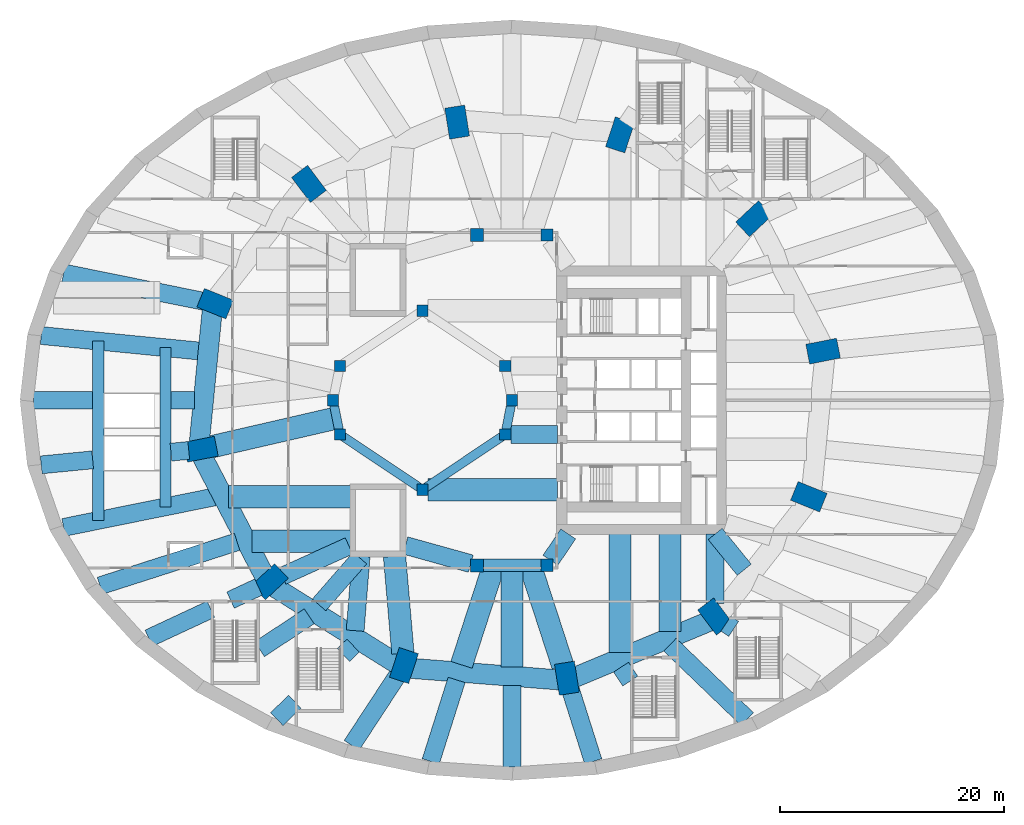
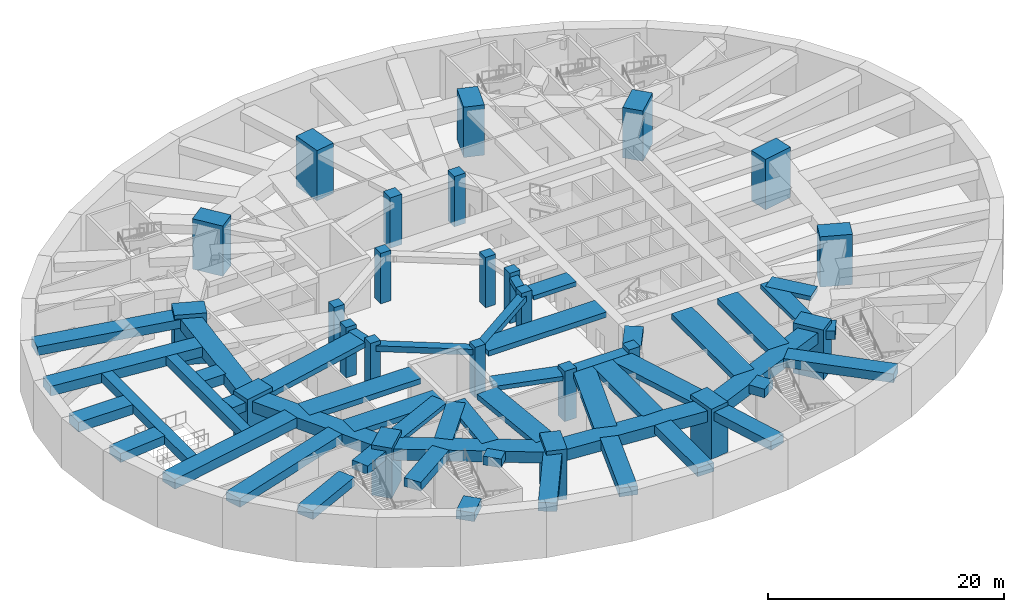
# One storey, part 1 of 14: 50 beams, 24 columns.
"""IFC4 building model written with IfcOpenShell, lengths in metres."""

from ifc_helpers import new_model, si_unit, direction, frame, origin, origin_with_axes, origin_2d, place, context, subcontext, project, spatial, rectangle, extrude, material, material_profile, profile_set, type_object, element, save


model = new_model("IFC4")

# Units and contexts
model_context = context("Model", 3, precision=1e-05, world=origin(), true_north=direction((0.0, 1.0)))
body_context = subcontext(model_context, "Body", "Model", "MODEL_VIEW")
ifc_project = project(units=[si_unit("LENGTHUNIT", "METRE"), si_unit("AREAUNIT", "SQUARE_METRE"), si_unit("VOLUMEUNIT", "CUBIC_METRE"), si_unit("PLANEANGLEUNIT", "RADIAN"), si_unit("MASSUNIT", "GRAM", prefix="KILO")], contexts=[model_context])

# Site, building, storey
site_placement = place(None, origin())
site = spatial("IfcSite", under=ifc_project, at=site_placement, CompositionType="ELEMENT")
building_placement = place(site_placement, origin())
building = spatial("IfcBuilding", under=site, at=building_placement, Name="Taillehof Tower", CompositionType="ELEMENT")
storey_placement = place(building_placement, frame((0.0, 0.0, -5.199951171875)))
storey = spatial("IfcBuildingStorey", under=building, at=storey_placement, Name="B1", CompositionType="ELEMENT", Elevation=-5.199951171875)

# Columns
ifc_material_1 = material(Name="Concrete C50/60", Category="concrete")
ifc_material_profile_1 = material_profile(ifc_material_1, rectangle(XDim=1.0, YDim=1.0, at=origin_2d()), Name="RC 1000x1000")
ifc_profile_set_1 = profile_set([ifc_material_profile_1], Name="Concrete C50/60")
column_type_1 = type_object("IfcColumnType", Name="Atrium ring column C50/60 1000x1000", PredefinedType="COLUMN", material=ifc_profile_set_1)
column_placement = place(storey_placement, origin_with_axes())
element("IfcColumn", 1, at=column_placement, inside=storey, type_object=column_type_1, Name="Column AC01", PredefinedType="COLUMN", context=body_context, shape_type="SweptSolid", body=[
    extrude(rectangle(XDim=1.0, YDim=1.0, at=origin_2d()), origin(), (0.0, 0.0, 1.0), 5.199951171875),
])
ifc_material_2 = material(Name="Concrete C60/75", Category="concrete")
ifc_material_profile_2 = material_profile(ifc_material_2, rectangle(XDim=1.0, YDim=1.0, at=origin_2d()), Name="RC 1000x1000")
ifc_profile_set_2 = profile_set([ifc_material_profile_2], Name="Concrete C60/75")
column_type_2 = type_object("IfcColumnType", Name="Atrium ring column C60/75 1000x1000", PredefinedType="COLUMN", material=ifc_profile_set_2)
for number, where, z_axis, x_axis, name in (
    (2, (-8.0, 8.0, 0.0), (0.0, 0.0, 1.0), (1.0, 0.0, 0.0), "Column AC05"),
    (3, (-15.39111328125, 3.0615234375, 0.0), (0.0, 0.0, 1.0), (1.0, 0.0, 0.0), "Column AC08"),
    (4, (-16.0, 0.0, 0.0), (0.0, 0.0, 1.0), (1.0, 0.0, 0.0), "Column AC09"),
    (5, (-15.39111328125, -3.0615234375, 0.0), (0.0, 0.0, 1.0), (1.0, 0.0, 0.0), "Column AC10"),
    (6, (-8.0, -8.0, 0.0), (0.0, 0.0, 1.0), (1.0, 0.0, 0.0), "Column AC13"),
):
    element("IfcColumn", number, at=place(storey_placement, frame(where, z_axis=z_axis, x_axis=x_axis)), inside=storey, type_object=column_type_2, Name=name, PredefinedType="COLUMN", context=body_context, shape_type="SweptSolid", body=[
        extrude(rectangle(XDim=1.0, YDim=1.0, at=origin_2d()), origin(), (0.0, 0.0, 1.0), 5.199951171875),
    ])
ifc_material_3 = material(Name="Concrete C70/85", Category="concrete")
ifc_material_profile_3 = material_profile(ifc_material_3, rectangle(XDim=1.0, YDim=1.0, at=origin_2d()), Name="RC 1000x1000")
ifc_profile_set_3 = profile_set([ifc_material_profile_3], Name="Concrete C70/85")
column_type_3 = type_object("IfcColumnType", Name="Atrium ring column C70/85 1000x1000", PredefinedType="COLUMN", material=ifc_profile_set_3)
for number, where, z_axis, x_axis, name in (
    (7, (-0.60888671875, 3.0615234375, 0.0), (0.0, 0.0, 1.0), (1.0, 0.0, 0.0), "Column AC02"),
    (8, (-0.60888671875, -3.0615234375, 0.0), (0.0, 0.0, 1.0), (1.0, 0.0, 0.0), "Column AC16"),
):
    element("IfcColumn", number, at=place(storey_placement, frame(where, z_axis=z_axis, x_axis=x_axis)), inside=storey, type_object=column_type_3, Name=name, PredefinedType="COLUMN", context=body_context, shape_type="SweptSolid", body=[
        extrude(rectangle(XDim=1.0, YDim=1.0, at=origin_2d()), origin(), (0.0, 0.0, 1.0), 5.199951171875),
    ])
ifc_material_4 = material(Name="Concrete C80/95", Category="concrete")
ifc_material_profile_4 = material_profile(ifc_material_4, rectangle(XDim=2.800048828125, YDim=1.800048828125, at=origin_2d()), Name="RC 2800x1800")
ifc_profile_set_4 = profile_set([ifc_material_profile_4], Name="Concrete C80/95")
column_type_4 = type_object("IfcColumnType", Name="Mega column C80/95 2800x1800", PredefinedType="COLUMN", material=ifc_profile_set_4)
for number, where, z_axis, x_axis, name in (
    (9, (27.82080078125, 4.384521484375, 0.0), (0.0, 0.0, 1.0), (0.98120354895, 0.192975634545, 0.0), "Mega column MG01"),
    (10, (21.640869140625, 16.23046875, 0.0), (0.0, 0.0, 1.0), (0.730113022917, 0.683326403535, 0.0), "Mega column MG02"),
    (11, (9.662109375, 23.727294921875, 0.0), (0.0, 0.0, 1.0), (0.310219183529, 0.950665060981, 0.0), "Mega column MG03"),
    (12, (-4.905517578125, 24.866455078125, 0.0), (0.0, 0.0, 1.0), (-0.15614709407, 0.987733812833, 0.0), "Mega column MG04"),
    (13, (-18.15869140625, 19.342529296875, 0.0), (0.0, 0.0, 1.0), (-0.601173783055, 0.79911831575, 0.0), "Mega column MG05"),
    (14, (-26.54638671875, 8.635986328125, 0.0), (0.0, 0.0, 1.0), (-0.926558045297, 0.37615181602, 0.0), "Mega column MG06"),
    (15, (-27.82080078125, -4.384521484375, 0.0), (0.0, 0.0, 1.0), (-0.98120354895, -0.192975634545, 0.0), "Mega column MG07"),
    (16, (-21.640869140625, -16.23046875, 0.0), (0.0, 0.0, 1.0), (-0.730113022917, -0.683326403535, 0.0), "Mega column MG08"),
    (17, (-9.662109375, -23.727294921875, 0.0), (0.0, 0.0, 1.0), (-0.310219183529, -0.950665060981, 0.0), "Mega column MG09"),
    (18, (4.905517578125, -24.866455078125, 0.0), (0.0, 0.0, 1.0), (0.15614709407, -0.987733812833, 0.0), "Mega column MG10"),
    (19, (18.15869140625, -19.342529296875, 0.0), (0.0, 0.0, 1.0), (0.601173783055, -0.79911831575, 0.0), "Mega column MG11"),
    (20, (26.54638671875, -8.635986328125, 0.0), (0.0, 0.0, 1.0), (0.926558045297, -0.37615181602, 0.0), "Mega column MG12"),
):
    element("IfcColumn", number, at=place(storey_placement, frame(where, z_axis=z_axis, x_axis=x_axis)), inside=storey, type_object=column_type_4, Name=name, PredefinedType="COLUMN", context=body_context, shape_type="SweptSolid", body=[
        extrude(rectangle(XDim=2.800048828125, YDim=1.800048828125, at=origin_2d()), origin(), (0.0, 0.0, 1.0), 5.199951171875),
    ])
ifc_material_5 = material(Name="Concrete C70/85", Category="concrete")
ifc_material_profile_5 = material_profile(ifc_material_5, rectangle(XDim=1.10009765625, YDim=1.10009765625, at=origin_2d()), Name="RC 1100x1100")
ifc_profile_set_5 = profile_set([ifc_material_profile_5], Name="Concrete C70/85")
column_type_5 = type_object("IfcColumnType", Name="Mid-ring column C70/85 1100x1100", PredefinedType="COLUMN", material=ifc_profile_set_5)
for number, where, z_axis, x_axis, name in (
    (21, (3.125732421875, 14.772216796875, 0.0), (0.0, 0.0, 1.0), (1.0, 0.0, 0.0), "Column MC05"),
    (22, (3.125732421875, -14.772216796875, 0.0), (0.0, 0.0, 1.0), (1.0, 0.0, 0.0), "Column MC15"),
):
    element("IfcColumn", number, at=place(storey_placement, frame(where, z_axis=z_axis, x_axis=x_axis)), inside=storey, type_object=column_type_5, Name=name, PredefinedType="COLUMN", context=body_context, shape_type="SweptSolid", body=[
        extrude(rectangle(XDim=1.10009765625, YDim=1.10009765625, at=origin_2d()), origin(), (0.0, 0.0, 1.0), 5.199951171875),
    ])
ifc_material_6 = material(Name="Concrete C80/95", Category="concrete")
ifc_material_profile_6 = material_profile(ifc_material_6, rectangle(XDim=1.14990234375, YDim=1.14990234375, at=origin_2d()), Name="RC 1150x1150")
ifc_profile_set_6 = profile_set([ifc_material_profile_6], Name="Concrete C80/95")
column_type_6 = type_object("IfcColumnType", Name="Mid-ring column C80/95 1150x1150", PredefinedType="COLUMN", material=ifc_profile_set_6)
for number, where, z_axis, x_axis, name in (
    (23, (-3.125732421875, 14.772216796875, 0.0), (0.0, 0.0, 1.0), (1.0, 0.0, 0.0), "Column MC06"),
    (24, (-3.125732421875, -14.772216796875, 0.0), (0.0, 0.0, 1.0), (1.0, 0.0, 0.0), "Column MC14"),
):
    element("IfcColumn", number, at=place(storey_placement, frame(where, z_axis=z_axis, x_axis=x_axis)), inside=storey, type_object=column_type_6, Name=name, PredefinedType="COLUMN", context=body_context, shape_type="SweptSolid", body=[
        extrude(rectangle(XDim=1.14990234375, YDim=1.14990234375, at=origin_2d()), origin(), (0.0, 0.0, 1.0), 5.199951171875),
    ])

# Beams
ifc_material_7 = material(Name="Concrete C50/60", Category="concrete")
ifc_material_profile_7 = material_profile(ifc_material_7, rectangle(XDim=0.800048828125, YDim=0.5, at=origin_2d()), Name="RC 800x500")
ifc_profile_set_7 = profile_set([ifc_material_profile_7], Name="Concrete C50/60")
beam_type_1 = type_object("IfcBeamType", Name="Atrium ring beam C50/60 800x500", PredefinedType="BEAM", material=ifc_profile_set_7)
for number, where, z_axis, x_axis, name in (
    (25, (-16.0, 0.0, 4.5400390625), (0.195063155143, -0.980790683839, 0.0), (0.980790683839, 0.195063155143, 0.0), "Atrium ring beam AB05"),
    (26, (-0.60888671875, -3.0615234375, 4.5400390625), (0.195063155143, 0.980790683839, 0.0), (-0.980790683839, 0.195063155143, 0.0), "Atrium ring beam AB08"),
):
    element("IfcBeam", number, at=place(storey_placement, frame(where, z_axis=z_axis, x_axis=x_axis)), inside=storey, type_object=beam_type_1, Name=name, PredefinedType="BEAM", context=body_context, shape_type="SweptSolid", body=[
        extrude(rectangle(XDim=0.800048828125, YDim=0.5, at=origin_2d()), origin(), (0.0, 0.0, 1.0), 3.12158203125),
    ])
ifc_material_8 = material(Name="Concrete C50/60", Category="concrete")
ifc_material_profile_8 = material_profile(ifc_material_8, rectangle(XDim=0.800048828125, YDim=0.60009765625, at=origin_2d()), Name="RC 800x600")
ifc_profile_set_8 = profile_set([ifc_material_profile_8], Name="Concrete C50/60")
beam_type_2 = type_object("IfcBeamType", Name="Atrium ring beam C50/60 800x600", PredefinedType="BEAM", material=ifc_profile_set_8)
for number, where, z_axis, x_axis, name in (
    (27, (-15.39111328125, -3.0615234375, 4.489990234375), (0.831475195687, -0.555561876804, 0.0), (0.555561876804, 0.831475195687, 0.0), "Atrium ring beam AB06"),
    (28, (-8.0, -8.0, 4.489990234375), (0.831475195687, 0.555561876804, 0.0), (-0.555561876804, 0.831475195687, 0.0), "Atrium ring beam AB07"),
):
    element("IfcBeam", number, at=place(storey_placement, frame(where, z_axis=z_axis, x_axis=x_axis)), inside=storey, type_object=beam_type_2, Name=name, PredefinedType="BEAM", context=body_context, shape_type="SweptSolid", body=[
        extrude(rectangle(XDim=0.800048828125, YDim=0.60009765625, at=origin_2d()), origin(), (0.0, 0.0, 1.0), 8.88916015625),
    ])
ifc_material_9 = material(Name="Concrete C50/60", Category="concrete")
ifc_material_profile_9 = material_profile(ifc_material_9, rectangle(XDim=1.10009765625, YDim=0.60009765625, at=origin_2d()), Name="RC 1100x600")
ifc_profile_set_9 = profile_set([ifc_material_profile_9], Name="Concrete C50/60")
beam_type_3 = type_object("IfcBeamType", Name="Mid-ring beam C50/60 1100x600", PredefinedType="BEAM", material=ifc_profile_set_9)
beam_1_placement = place(storey_placement, frame((-3.125732421875, -14.772216796875, 4.489990234375), z_axis=(1.0, 0.0, 0.0), x_axis=(0.0, 1.0, 0.0)))
element("IfcBeam", 29, at=beam_1_placement, inside=storey, type_object=beam_type_3, Name="Mid-ring beam MB02", PredefinedType="BEAM", context=body_context, shape_type="SweptSolid", body=[
    extrude(rectangle(XDim=1.10009765625, YDim=0.60009765625, at=origin_2d()), origin(), (0.0, 0.0, 1.0), 6.25146484375),
])
ifc_material_10 = material(Name="Concrete C50/60", Category="concrete")
ifc_material_profile_10 = material_profile(ifc_material_10, rectangle(XDim=1.60009765625, YDim=1.0, at=origin_2d()), Name="RC 1600x1000")
ifc_profile_set_10 = profile_set([ifc_material_profile_10], Name="Concrete C50/60")
beam_type_4 = type_object("IfcBeamType", Name="Podium radial beam C50/60 1600x1000", PredefinedType="BEAM", material=ifc_profile_set_10)
beam_2_placement = place(storey_placement, frame((-42.103271484375, 5.78369140625, 4.2900390625), z_axis=(0.995235968707, -0.097495469601, 0.0), x_axis=(0.097495469601, 0.995235968707, 0.0)))
element("IfcBeam", 30, at=beam_2_placement, inside=storey, type_object=beam_type_4, Name="Podium radial beam PR18", PredefinedType="BEAM", context=body_context, shape_type="SweptSolid", body=[
    extrude(rectangle(XDim=1.60009765625, YDim=1.0, at=origin_2d()), origin(), (0.0, 0.0, 1.0), 14.108154296875),
])
beam_3_placement = place(storey_placement, frame((-42.792236328125, 0.0, 4.2900390625), z_axis=(1.0, 0.0, 0.0), x_axis=(0.0, 1.0, 0.0)))
element("IfcBeam", 31, at=beam_3_placement, inside=storey, type_object=beam_type_4, Name="Podium radial beam PR19", PredefinedType="BEAM", context=body_context, shape_type="SweptSolid", body=[
    extrude(rectangle(XDim=1.60009765625, YDim=1.0, at=origin_2d()), origin(), (0.0, 0.0, 1.0), 5.292236328125),
])
beam_4_placement = place(storey_placement, frame((-30.5, 0.0, 4.2900390625), z_axis=(1.0, 0.0, 0.0), x_axis=(0.0, 1.0, 0.0)))
element("IfcBeam", 32, at=beam_4_placement, inside=storey, type_object=beam_type_4, Name="Podium radial beam PR19", PredefinedType="BEAM", context=body_context, shape_type="SweptSolid", body=[
    extrude(rectangle(XDim=1.60009765625, YDim=1.0, at=origin_2d()), origin(), (0.0, 0.0, 1.0), 2.087158203125),
])
beam_5_placement = place(storey_placement, frame((-40.097412109375, -11.376220703125, 4.2900390625), z_axis=(0.980159529248, 0.198210234914, 0.0), x_axis=(-0.198210234914, 0.980159529248, 0.0)))
element("IfcBeam", 33, at=beam_5_placement, inside=storey, type_object=beam_type_4, Name="Podium radial beam PR21", PredefinedType="BEAM", context=body_context, shape_type="SweptSolid", body=[
    extrude(rectangle(XDim=1.60009765625, YDim=1.0, at=origin_2d()), origin(), (0.0, 0.0, 1.0), 13.785400390625),
])
ifc_material_11 = material(Name="Concrete C50/60", Category="concrete")
ifc_material_profile_11 = material_profile(ifc_material_11, rectangle(XDim=1.60009765625, YDim=0.89990234375, at=origin_2d()), Name="RC 1600x900")
ifc_profile_set_11 = profile_set([ifc_material_profile_11], Name="Concrete C50/60")
beam_type_5 = type_object("IfcBeamType", Name="Podium radial beam C50/60 1600x900", PredefinedType="BEAM", material=ifc_profile_set_11)
beam_6_placement = place(storey_placement, frame((-40.097412109375, 11.376220703125, 4.33984375), z_axis=(0.98016201172, -0.198197958571, 0.0), x_axis=(0.198197958571, 0.98016201172, 0.0)))
element("IfcBeam", 34, at=beam_6_placement, inside=storey, type_object=beam_type_5, Name="Podium radial beam PR17", PredefinedType="BEAM", context=body_context, shape_type="SweptSolid", body=[
    extrude(rectangle(XDim=1.60009765625, YDim=0.89990234375, at=origin_2d()), origin(), (0.0, 0.0, 1.0), 12.80712890625),
])
beam_7_placement = place(storey_placement, frame((-42.103271484375, -5.78369140625, 4.33984375), z_axis=(0.995236361069, 0.097491464274, 0.0), x_axis=(-0.097491464274, 0.995236361069, 0.0)))
element("IfcBeam", 35, at=beam_7_placement, inside=storey, type_object=beam_type_5, Name="Podium radial beam PR20", PredefinedType="BEAM", context=body_context, shape_type="SweptSolid", body=[
    extrude(rectangle(XDim=1.60009765625, YDim=0.89990234375, at=origin_2d()), origin(), (0.0, 0.0, 1.0), 4.625244140625),
])
beam_8_placement = place(storey_placement, frame((-30.5, -4.64697265625, 4.33984375), z_axis=(0.995245079881, 0.097402417697, 0.0), x_axis=(-0.097402417697, 0.995245079881, 0.0)))
element("IfcBeam", 36, at=beam_8_placement, inside=storey, type_object=beam_type_5, Name="Podium radial beam PR20", PredefinedType="BEAM", context=body_context, shape_type="SweptSolid", body=[
    extrude(rectangle(XDim=1.60009765625, YDim=0.89990234375, at=origin_2d()), origin(), (0.0, 0.0, 1.0), 1.59912109375),
])
beam_9_placement = place(storey_placement, frame((-36.850341796875, -16.59765625, 4.33984375), z_axis=(0.952213964382, 0.305431769852, 0.0), x_axis=(-0.305431769852, 0.952213964382, 0.0)))
element("IfcBeam", 37, at=beam_9_placement, inside=storey, type_object=beam_type_5, Name="Podium radial beam PR22", PredefinedType="BEAM", context=body_context, shape_type="SweptSolid", body=[
    extrude(rectangle(XDim=1.60009765625, YDim=0.89990234375, at=origin_2d()), origin(), (0.0, 0.0, 1.0), 12.88037109375),
])
beam_10_placement = place(storey_placement, frame((-32.48193359375, -21.2841796875, 4.33984375), z_axis=(0.906347874546, 0.422532283152, 0.0), x_axis=(-0.422532283152, 0.906347874546, 0.0)))
element("IfcBeam", 38, at=beam_10_placement, inside=storey, type_object=beam_type_5, Name="Podium radial beam PR23", PredefinedType="BEAM", context=body_context, shape_type="SweptSolid", body=[
    extrude(rectangle(XDim=1.60009765625, YDim=0.89990234375, at=origin_2d()), origin(), (0.0, 0.0, 1.0), 6.131103515625),
])
beam_11_placement = place(storey_placement, frame((-25.168701171875, -17.875, 4.33984375), z_axis=(0.906343651761, 0.422541341068, 0.0), x_axis=(-0.422541341068, 0.906343651761, 0.0)))
element("IfcBeam", 39, at=beam_11_placement, inside=storey, type_object=beam_type_5, Name="Podium radial beam PR23", PredefinedType="BEAM", context=body_context, shape_type="SweptSolid", body=[
    extrude(rectangle(XDim=1.60009765625, YDim=0.89990234375, at=origin_2d()), origin(), (0.0, 0.0, 1.0), 2.7578125),
])
beam_12_placement = place(storey_placement, frame((-22.574951171875, -22.2666015625, 4.33984375), z_axis=(0.833802188261, 0.552063321415, 0.0), x_axis=(-0.552063321415, 0.833802188261, 0.0)))
element("IfcBeam", 40, at=beam_12_placement, inside=storey, type_object=beam_type_5, Name="Podium radial beam PR24", PredefinedType="BEAM", context=body_context, shape_type="SweptSolid", body=[
    extrude(rectangle(XDim=1.60009765625, YDim=0.89990234375, at=origin_2d()), origin(), (0.0, 0.0, 1.0), 5.325927734375),
])
beam_13_placement = place(storey_placement, frame((-21.03564453125, -28.516845703125, 4.33984375), z_axis=(0.72057484807, 0.693377161672, 0.0), x_axis=(-0.693377161672, 0.72057484807, 0.0)))
element("IfcBeam", 41, at=beam_13_placement, inside=storey, type_object=beam_type_5, Name="Podium radial beam PR25", PredefinedType="BEAM", context=body_context, shape_type="SweptSolid", body=[
    extrude(rectangle(XDim=1.60009765625, YDim=0.89990234375, at=origin_2d()), origin(), (0.0, 0.0, 1.0), 2.235107421875),
])
beam_14_placement = place(storey_placement, frame((-15.074951171875, -22.78125, 4.33984375), z_axis=(0.720556472929, 0.693396257071, 0.0), x_axis=(-0.693396257071, 0.720556472929, 0.0)))
element("IfcBeam", 42, at=beam_14_placement, inside=storey, type_object=beam_type_5, Name="Podium radial beam PR25", PredefinedType="BEAM", context=body_context, shape_type="SweptSolid", body=[
    extrude(rectangle(XDim=1.60009765625, YDim=0.89990234375, at=origin_2d()), origin(), (0.0, 0.0, 1.0), 1.20458984375),
])
beam_15_placement = place(storey_placement, frame((-14.342041015625, -30.870361328125, 4.33984375), z_axis=(0.548023085457, 0.836463207682, 0.0), x_axis=(-0.836463207682, 0.548023085457, 0.0)))
element("IfcBeam", 43, at=beam_15_placement, inside=storey, type_object=beam_type_5, Name="Podium radial beam PR26", PredefinedType="BEAM", context=body_context, shape_type="SweptSolid", body=[
    extrude(rectangle(XDim=1.60009765625, YDim=0.89990234375, at=origin_2d()), origin(), (0.0, 0.0, 1.0), 7.42822265625),
])
beam_16_placement = place(storey_placement, frame((-7.266845703125, -32.305908203125, 4.33984375), z_axis=(0.302511936642, 0.953145596532, 0.0), x_axis=(-0.953145596532, 0.302511936642, 0.0)))
element("IfcBeam", 44, at=beam_16_placement, inside=storey, type_object=beam_type_5, Name="Podium radial beam PR27", PredefinedType="BEAM", context=body_context, shape_type="SweptSolid", body=[
    extrude(rectangle(XDim=1.60009765625, YDim=0.89990234375, at=origin_2d()), origin(), (0.0, 0.0, 1.0), 7.649169921875),
])
beam_17_placement = place(storey_placement, frame((0.0, -32.79736328125, 4.33984375), z_axis=(0.0, 1.0, 0.0), x_axis=(-1.0, 0.0, 0.0)))
element("IfcBeam", 45, at=beam_17_placement, inside=storey, type_object=beam_type_5, Name="Podium radial beam PR28", PredefinedType="BEAM", context=body_context, shape_type="SweptSolid", body=[
    extrude(rectangle(XDim=1.60009765625, YDim=0.89990234375, at=origin_2d()), origin(), (0.0, 0.0, 1.0), 7.275634765625),
])
beam_18_placement = place(storey_placement, frame((7.266845703125, -32.305908203125, 4.33984375), z_axis=(-0.302540157535, 0.953136639249, 0.0), x_axis=(-0.953136639249, -0.302540157535, 0.0)))
element("IfcBeam", 46, at=beam_18_placement, inside=storey, type_object=beam_type_5, Name="Podium radial beam PR29", PredefinedType="BEAM", context=body_context, shape_type="SweptSolid", body=[
    extrude(rectangle(XDim=1.60009765625, YDim=0.89990234375, at=origin_2d()), origin(), (0.0, 0.0, 1.0), 6.7744140625),
])
beam_19_placement = place(storey_placement, frame((10.574951171875, -25.12060546875, 4.33984375), z_axis=(-0.54800258411, 0.836476639129, 0.0), x_axis=(-0.836476639129, -0.54800258411, 0.0)))
element("IfcBeam", 47, at=beam_19_placement, inside=storey, type_object=beam_type_5, Name="Podium radial beam PR30", PredefinedType="BEAM", context=body_context, shape_type="SweptSolid", body=[
    extrude(rectangle(XDim=1.60009765625, YDim=0.89990234375, at=origin_2d()), origin(), (0.0, 0.0, 1.0), 1.492919921875),
])
beam_20_placement = place(storey_placement, frame((21.03564453125, -28.516845703125, 4.33984375), z_axis=(-0.720583518861, 0.693368150657, 0.0), x_axis=(-0.693368150657, -0.720583518861, 0.0)))
element("IfcBeam", 48, at=beam_20_placement, inside=storey, type_object=beam_type_5, Name="Podium radial beam PR31", PredefinedType="BEAM", context=body_context, shape_type="SweptSolid", body=[
    extrude(rectangle(XDim=1.60009765625, YDim=0.89990234375, at=origin_2d()), origin(), (0.0, 0.0, 1.0), 9.589599609375),
])
beam_21_placement = place(storey_placement, frame((19.824951171875, -20.44580078125, 4.33984375), z_axis=(-0.833757807349, 0.552130345738, 0.0), x_axis=(-0.552130345738, -0.833757807349, 0.0)))
element("IfcBeam", 49, at=beam_21_placement, inside=storey, type_object=beam_type_5, Name="Podium radial beam PR32", PredefinedType="BEAM", context=body_context, shape_type="SweptSolid", body=[
    extrude(rectangle(XDim=1.60009765625, YDim=0.89990234375, at=origin_2d()), origin(), (0.0, 0.0, 1.0), 0.833984375),
])
ifc_material_12 = material(Name="Concrete C50/60", Category="concrete")
ifc_material_profile_12 = material_profile(ifc_material_12, rectangle(XDim=1.0, YDim=0.89990234375, at=origin_2d()), Name="RC 1000x900")
ifc_profile_set_12 = profile_set([ifc_material_profile_12], Name="Concrete C50/60")
beam_type_6 = type_object("IfcBeamType", Name="Podium trimmer beam C50/60 1000x900", PredefinedType="BEAM", material=ifc_profile_set_12)
beam_22_placement = place(storey_placement, frame((-37.0, -10.749755859375, 4.33984375), z_axis=(0.0, 1.0, 0.0), x_axis=(-1.0, 0.0, 0.0)))
element("IfcBeam", 50, at=beam_22_placement, inside=storey, type_object=beam_type_6, Name="Podium trimmer beam PT1A", PredefinedType="BEAM", context=body_context, shape_type="SweptSolid", body=[
    extrude(rectangle(XDim=1.0, YDim=0.89990234375, at=origin_2d()), origin(), (0.0, 0.0, 1.0), 16.033447265625),
])
beam_23_placement = place(storey_placement, frame((-31.0, -9.53662109375, 4.33984375), z_axis=(0.0, 1.0, 0.0), x_axis=(-1.0, 0.0, 0.0)))
element("IfcBeam", 51, at=beam_23_placement, inside=storey, type_object=beam_type_6, Name="Podium trimmer beam PT1B", PredefinedType="BEAM", context=body_context, shape_type="SweptSolid", body=[
    extrude(rectangle(XDim=1.0, YDim=0.89990234375, at=origin_2d()), origin(), (0.0, 0.0, 1.0), 14.232666015625),
])
ifc_material_13 = material(Name="Concrete C50/60", Category="concrete")
ifc_material_profile_13 = material_profile(ifc_material_13, rectangle(XDim=1.60009765625, YDim=0.449951171875, at=origin_2d()), Name="RC 1600x450")
ifc_profile_set_13 = profile_set([ifc_material_profile_13], Name="Concrete C50/60")
beam_type_7 = type_object("IfcBeamType", Name="Radial band beam C50/60 1600x450", PredefinedType="BEAM", material=ifc_profile_set_13)
beam_24_placement = place(storey_placement, frame((-20.54345703125, -15.734130859375, 4.56494140625), z_axis=(0.911098251223, 0.412189248547, 0.0), x_axis=(-0.412189248547, 0.911098251223, 0.0)))
element("IfcBeam", 52, at=beam_24_placement, inside=storey, type_object=beam_type_7, Name="Radial band beam RB23", PredefinedType="BEAM", context=body_context, shape_type="SweptSolid", body=[
    extrude(rectangle(XDim=1.60009765625, YDim=0.449951171875, at=origin_2d()), origin(), (0.0, 0.0, 1.0), 6.545654296875),
])
beam_25_placement = place(storey_placement, frame((-17.2529296875, -18.3037109375, 4.56494140625), z_axis=(0.657226031151, 0.75369353452, 0.0), x_axis=(-0.75369353452, 0.657226031151, 0.0)))
element("IfcBeam", 53, at=beam_25_placement, inside=storey, type_object=beam_type_7, Name="Radial band beam RB24", PredefinedType="BEAM", context=body_context, shape_type="SweptSolid", body=[
    extrude(rectangle(XDim=1.60009765625, YDim=0.449951171875, at=origin_2d()), origin(), (0.0, 0.0, 1.0), 5.560302734375),
])
beam_26_placement = place(storey_placement, frame((-14.025390625, -20.612060546875, 4.56494140625), z_axis=(0.079202161818, 0.996858574505, 0.0), x_axis=(-0.996858574505, 0.079202161818, 0.0)))
element("IfcBeam", 54, at=beam_26_placement, inside=storey, type_object=beam_type_7, Name="Radial band beam RB25", PredefinedType="BEAM", context=body_context, shape_type="SweptSolid", body=[
    extrude(rectangle(XDim=1.60009765625, YDim=0.449951171875, at=origin_2d()), origin(), (0.0, 0.0, 1.0), 6.682861328125),
])
beam_27_placement = place(storey_placement, frame((18.15869140625, -18.1953125, 4.56494140625), z_axis=(0.0, 1.0, 0.0), x_axis=(-1.0, 0.0, 0.0)))
element("IfcBeam", 55, at=beam_27_placement, inside=storey, type_object=beam_type_7, Name="Radial band beam RB32", PredefinedType="BEAM", context=body_context, shape_type="SweptSolid", body=[
    extrude(rectangle(XDim=1.60009765625, YDim=0.449951171875, at=origin_2d()), origin(), (0.0, 0.0, 1.0), 6.245361328125),
])
beam_28_placement = place(storey_placement, frame((20.771484375, -15.16162109375, 4.56494140625), z_axis=(-0.63098244055, 0.775797112471, 0.0), x_axis=(-0.775797112471, -0.63098244055, 0.0)))
element("IfcBeam", 56, at=beam_28_placement, inside=storey, type_object=beam_type_7, Name="Radial band beam RB33", PredefinedType="BEAM", context=body_context, shape_type="SweptSolid", body=[
    extrude(rectangle(XDim=1.60009765625, YDim=0.449951171875, at=origin_2d()), origin(), (0.0, 0.0, 1.0), 4.125244140625),
])
beam_29_placement = place(storey_placement, frame((-0.10888671875, -3.0615234375, 4.56494140625), z_axis=(1.0, 0.0, 0.0), x_axis=(0.0, 1.0, 0.0)))
element("IfcBeam", 57, at=beam_29_placement, inside=storey, type_object=beam_type_7, Name="Inner band beam IB116", PredefinedType="BEAM", context=body_context, shape_type="SweptSolid", body=[
    extrude(rectangle(XDim=1.60009765625, YDim=0.449951171875, at=origin_2d()), origin(), (0.0, 0.0, 1.0), 4.158935546875),
])
beam_30_placement = place(storey_placement, frame((-3.6796875, -14.6181640625, 4.56494140625), z_axis=(-0.963453939049, 0.267874051248, 0.0), x_axis=(-0.267874051248, -0.963453939049, 0.0)))
element("IfcBeam", 58, at=beam_30_placement, inside=storey, type_object=beam_type_7, Name="Inner band beam IB214", PredefinedType="BEAM", context=body_context, shape_type="SweptSolid", body=[
    extrude(rectangle(XDim=1.60009765625, YDim=0.449951171875, at=origin_2d()), origin(), (0.0, 0.0, 1.0), 6.07177734375),
])
beam_31_placement = place(storey_placement, frame((3.433837890625, -14.31640625, 4.56494140625), z_axis=(0.560112043398, 0.828416862962, 0.0), x_axis=(-0.828416862962, 0.560112043398, 0.0)))
element("IfcBeam", 59, at=beam_31_placement, inside=storey, type_object=beam_type_7, Name="Inner band beam IB215", PredefinedType="BEAM", context=body_context, shape_type="SweptSolid", body=[
    extrude(rectangle(XDim=1.60009765625, YDim=0.449951171875, at=origin_2d()), origin(), (0.0, 0.0, 1.0), 2.84619140625),
])
ifc_material_14 = material(Name="Concrete C50/60", Category="concrete")
ifc_material_profile_14 = material_profile(ifc_material_14, rectangle(XDim=2.0, YDim=0.550048828125, at=origin_2d()), Name="RC 2000x550")
ifc_profile_set_14 = profile_set([ifc_material_profile_14], Name="Concrete C50/60")
beam_type_8 = type_object("IfcBeamType", Name="Radial band beam C50/60 2000x550", PredefinedType="BEAM", material=ifc_profile_set_14)
beam_32_placement = place(storey_placement, frame((-26.8681640625, -4.165283203125, 4.514892578125), z_axis=(0.974507582224, 0.224354568011, 0.0), x_axis=(-0.224354568011, 0.974507582224, 0.0)))
element("IfcBeam", 60, at=beam_32_placement, inside=storey, type_object=beam_type_8, Name="Radial band beam RB20", PredefinedType="BEAM", context=body_context, shape_type="SweptSolid", body=[
    extrude(rectangle(XDim=2.0, YDim=0.550048828125, at=origin_2d()), origin(), (0.0, 0.0, 1.0), 11.47705078125),
])
beam_33_placement = place(storey_placement, frame((-25.33984375, -8.635986328125, 4.514892578125), z_axis=(1.0, 0.0, 0.0), x_axis=(0.0, 1.0, 0.0)))
element("IfcBeam", 61, at=beam_33_placement, inside=storey, type_object=beam_type_8, Name="Radial band beam RB21", PredefinedType="BEAM", context=body_context, shape_type="SweptSolid", body=[
    extrude(rectangle(XDim=2.0, YDim=0.550048828125, at=origin_2d()), origin(), (0.0, 0.0, 1.0), 10.889892578125),
])
beam_34_placement = place(storey_placement, frame((-23.2587890625, -12.625, 4.514892578125), z_axis=(1.0, 0.0, 0.0), x_axis=(0.0, 1.0, 0.0)))
element("IfcBeam", 62, at=beam_34_placement, inside=storey, type_object=beam_type_8, Name="Radial band beam RB22", PredefinedType="BEAM", context=body_context, shape_type="SweptSolid", body=[
    extrude(rectangle(XDim=2.0, YDim=0.550048828125, at=origin_2d()), origin(), (0.0, 0.0, 1.0), 8.808837890625),
])
beam_35_placement = place(storey_placement, frame((-9.755859375, -22.637451171875, 4.514892578125), z_axis=(-0.085846652558, 0.996308362027, 0.0), x_axis=(-0.996308362027, -0.085846652558, 0.0)))
element("IfcBeam", 63, at=beam_35_placement, inside=storey, type_object=beam_type_8, Name="Radial band beam RB26", PredefinedType="BEAM", context=body_context, shape_type="SweptSolid", body=[
    extrude(rectangle(XDim=2.0, YDim=0.550048828125, at=origin_2d()), origin(), (0.0, 0.0, 1.0), 8.719482421875),
])
beam_36_placement = place(storey_placement, frame((-4.515380859375, -23.665771484375, 4.514892578125), z_axis=(0.309012868999, 0.951057856701, 0.0), x_axis=(-0.951057856701, 0.309012868999, 0.0)))
element("IfcBeam", 64, at=beam_36_placement, inside=storey, type_object=beam_type_8, Name="Radial band beam RB27", PredefinedType="BEAM", context=body_context, shape_type="SweptSolid", body=[
    extrude(rectangle(XDim=2.0, YDim=0.550048828125, at=origin_2d()), origin(), (0.0, 0.0, 1.0), 9.351318359375),
])
beam_37_placement = place(storey_placement, frame((0.0, -23.864501953125, 4.514892578125), z_axis=(0.0, 1.0, 0.0), x_axis=(-1.0, 0.0, 0.0)))
element("IfcBeam", 65, at=beam_37_placement, inside=storey, type_object=beam_type_8, Name="Radial band beam RB28", PredefinedType="BEAM", context=body_context, shape_type="SweptSolid", body=[
    extrude(rectangle(XDim=2.0, YDim=0.550048828125, at=origin_2d()), origin(), (0.0, 0.0, 1.0), 9.09228515625),
])
beam_38_placement = place(storey_placement, frame((4.5439453125, -23.75341796875, 4.514892578125), z_axis=(-0.309021183307, 0.951055155218, 0.0), x_axis=(-0.951055155218, -0.309021183307, 0.0)))
element("IfcBeam", 66, at=beam_38_placement, inside=storey, type_object=beam_type_8, Name="Radial band beam RB29", PredefinedType="BEAM", context=body_context, shape_type="SweptSolid", body=[
    extrude(rectangle(XDim=2.0, YDim=0.550048828125, at=origin_2d()), origin(), (0.0, 0.0, 1.0), 9.443359375),
])
beam_39_placement = place(storey_placement, frame((9.662109375, -22.5458984375, 4.514892578125), z_axis=(0.0, 1.0, 0.0), x_axis=(-1.0, 0.0, 0.0)))
element("IfcBeam", 67, at=beam_39_placement, inside=storey, type_object=beam_type_8, Name="Radial band beam RB30", PredefinedType="BEAM", context=body_context, shape_type="SweptSolid", body=[
    extrude(rectangle(XDim=2.0, YDim=0.550048828125, at=origin_2d()), origin(), (0.0, 0.0, 1.0), 10.595947265625),
])
beam_40_placement = place(storey_placement, frame((14.125, -20.685791015625, 4.514892578125), z_axis=(0.0, 1.0, 0.0), x_axis=(-1.0, 0.0, 0.0)))
element("IfcBeam", 68, at=beam_40_placement, inside=storey, type_object=beam_type_8, Name="Radial band beam RB31", PredefinedType="BEAM", context=body_context, shape_type="SweptSolid", body=[
    extrude(rectangle(XDim=2.0, YDim=0.550048828125, at=origin_2d()), origin(), (0.0, 0.0, 1.0), 8.73583984375),
])
beam_41_placement = place(storey_placement, frame((-7.5, -8.0, 4.514892578125), z_axis=(1.0, 0.0, 0.0), x_axis=(0.0, 1.0, 0.0)))
element("IfcBeam", 69, at=beam_41_placement, inside=storey, type_object=beam_type_8, Name="Inner band beam IB113", PredefinedType="BEAM", context=body_context, shape_type="SweptSolid", body=[
    extrude(rectangle(XDim=2.0, YDim=0.550048828125, at=origin_2d()), origin(), (0.0, 0.0, 1.0), 11.550048828125),
])
ifc_material_15 = material(Name="Concrete C50/60", Category="concrete")
ifc_material_profile_15 = material_profile(ifc_material_15, rectangle(XDim=1.800048828125, YDim=1.14990234375, at=origin_2d()), Name="RC 1800x1150")
ifc_profile_set_15 = profile_set([ifc_material_profile_15], Name="Concrete C50/60")
beam_type_9 = type_object("IfcBeamType", Name="Ring floor beam C50/60 1800x1150", PredefinedType="BEAM", material=ifc_profile_set_15)
beam_42_placement = place(storey_placement, frame((-26.804931640625, 8.048095703125, 4.21484375), z_axis=(-0.097401633185, -0.995245156659, 0.0), x_axis=(0.995245156659, -0.097401633185, 0.0)))
element("IfcBeam", 70, at=beam_42_placement, inside=storey, type_object=beam_type_9, Name="Ring floor beam RG06", PredefinedType="BEAM", context=body_context, shape_type="SweptSolid", body=[
    extrude(rectangle(XDim=1.800048828125, YDim=1.14990234375, at=origin_2d()), origin(), (0.0, 0.0, 1.0), 11.868408203125),
])
beam_43_placement = place(storey_placement, frame((-27.716552734375, -5.01708984375, 4.21484375), z_axis=(0.462558439378, -0.88658879429, 0.0), x_axis=(0.88658879429, 0.462558439378, 0.0)))
element("IfcBeam", 71, at=beam_43_placement, inside=storey, type_object=beam_type_9, Name="Ring floor beam RG07", PredefinedType="BEAM", context=body_context, shape_type="SweptSolid", body=[
    extrude(rectangle(XDim=1.800048828125, YDim=1.14990234375, at=origin_2d()), origin(), (0.0, 0.0, 1.0), 12.12841796875),
])
beam_44_placement = place(storey_placement, frame((-21.207275390625, -16.737548828125, 4.21484375), z_axis=(0.847670289151, -0.530523402774, 0.0), x_axis=(0.530523402774, 0.847670289151, 0.0)))
element("IfcBeam", 72, at=beam_44_placement, inside=storey, type_object=beam_type_9, Name="Ring floor beam RG08", PredefinedType="BEAM", context=body_context, shape_type="SweptSolid", body=[
    extrude(rectangle(XDim=1.800048828125, YDim=1.14990234375, at=origin_2d()), origin(), (0.0, 0.0, 1.0), 12.843505859375),
])
beam_45_placement = place(storey_placement, frame((-9.024169921875, -23.977783203125, 4.21484375), z_axis=(0.996957372869, -0.0779486798, 0.0), x_axis=(0.0779486798, 0.996957372869, 0.0)))
element("IfcBeam", 73, at=beam_45_placement, inside=storey, type_object=beam_type_9, Name="Ring floor beam RG09", PredefinedType="BEAM", context=body_context, shape_type="SweptSolid", body=[
    extrude(rectangle(XDim=1.800048828125, YDim=1.14990234375, at=origin_2d()), origin(), (0.0, 0.0, 1.0), 13.298828125),
])
beam_46_placement = place(storey_placement, frame((5.588134765625, -24.798583984375, 4.21484375), z_axis=(0.923036542488, 0.384712283703, 0.0), x_axis=(-0.384712283703, 0.923036542488, 0.0)))
element("IfcBeam", 74, at=beam_46_placement, inside=storey, type_object=beam_type_9, Name="Ring floor beam RG10", PredefinedType="BEAM", context=body_context, shape_type="SweptSolid", body=[
    extrude(rectangle(XDim=1.800048828125, YDim=1.14990234375, at=origin_2d()), origin(), (0.0, 0.0, 1.0), 13.0595703125),
])

save(model, "model.ifc")
